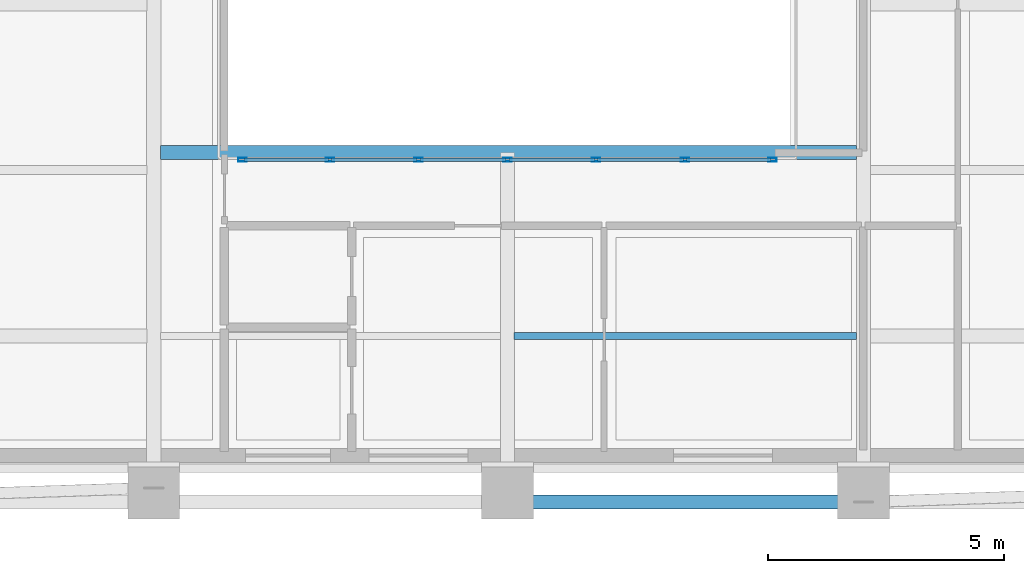
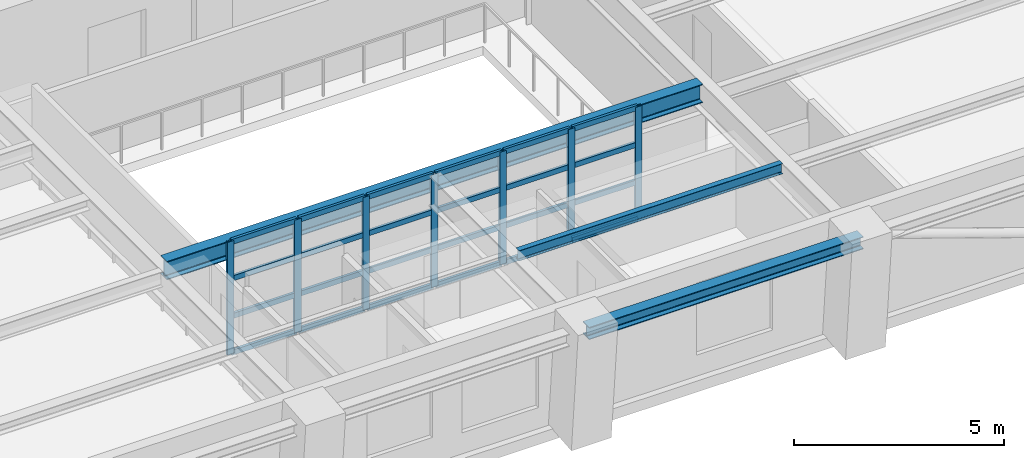
# One storey, part 2 of 13: 31 members, 3 beams, 1 element without a shape of its own.
"""IFC4 building model written with IfcOpenShell, lengths in metres."""

import ifcopenshell
import ifcopenshell.guid

model = None  # the IFC model being written
_history = None  # IfcOwnerHistory: only IFC2X3 demands one
_inside = {}  # id of a spatial element -> (the spatial element, [elements in it])
_under = {}  # id of a project, library or spatial element -> (it, [spatial elements below it])
_declared = {}  # id of a project -> (the project, [libraries it declares])
_typed = {}  # id of a type object -> (the type object, [elements of that type])
_made_of = {}  # id of a material, layer set ... -> (it, [elements and type objects made of it])


def new_model(schema):
    """Start an empty IFC model of exactly this schema.

    Asked for "IFC4X3", IfcOpenShell would pick the latest addendum, in which some entities
    have other attributes; the version numbers below select the first issue.
    IFC2X3 requires an IfcOwnerHistory on every rooted entity: one is made here for all.
    """
    global model, _history
    if schema == "IFC4X3":
        model = ifcopenshell.file(schema_version=(4, 3, 0, 0))
    else:
        model = ifcopenshell.file(schema=schema)
    _inside.clear()
    _under.clear()
    _declared.clear()
    _typed.clear()
    _made_of.clear()
    _history = None
    if model.schema == "IFC2X3":
        org = make("IfcOrganization", Name="unknown")
        user = make(
            "IfcPersonAndOrganization",
            ThePerson=make("IfcPerson", FamilyName="unknown"),
            TheOrganization=org,
        )
        app = make(
            "IfcApplication",
            ApplicationDeveloper=org,
            Version="unknown",
            ApplicationFullName="unknown",
            ApplicationIdentifier="unknown",
        )
        _history = make(
            "IfcOwnerHistory",
            OwningUser=user,
            OwningApplication=app,
            ChangeAction="ADDED",
            CreationDate=0,
        )
    return model


def make(cls, **values):
    """One entity of the class cls with the attributes given. An attribute that is None is left unset."""
    return model.create_entity(
        cls, **{name: value for name, value in values.items() if value is not None}
    )


def rooted(cls, **values):
    """An entity with a GlobalId (a new one), such as an element, a storey or a relation."""
    return make(cls, GlobalId=ifcopenshell.guid.new(), OwnerHistory=_history, **values)


def si_unit(unit_type, name, prefix=None):
    """IfcSIUnit, for example si_unit("LENGTHUNIT", "METRE", prefix="MILLI")."""
    return make("IfcSIUnit", UnitType=unit_type, Prefix=prefix, Name=name)


def assignment(units):
    """IfcUnitAssignment: the units of a project."""
    return None if units is None else make("IfcUnitAssignment", Units=units)


def point(xyz):
    """IfcCartesianPoint."""
    return None if xyz is None else make("IfcCartesianPoint", Coordinates=xyz)


def direction(xyz):
    """IfcDirection."""
    return None if xyz is None else make("IfcDirection", DirectionRatios=xyz)


def frame(location, z_axis=None, x_axis=None):
    """IfcAxis2Placement3D, a coordinate frame: its origin and axes. An axis left out is left unset."""
    return make(
        "IfcAxis2Placement3D",
        Location=point(location),
        Axis=direction(z_axis),
        RefDirection=direction(x_axis),
    )


def frame_2d(location, x_axis=None):
    """IfcAxis2Placement2D, a coordinate frame in the plane: its origin and x axis."""
    return make(
        "IfcAxis2Placement2D", Location=point(location), RefDirection=direction(x_axis)
    )


def origin():
    """The frame at (0, 0, 0) with its axes left unset."""
    return frame((0.0, 0.0, 0.0))


def origin_2d():
    """The frame at (0, 0) in the plane with its x axis left unset."""
    return frame_2d((0.0, 0.0))


def place(relative_to, where):
    """IfcLocalPlacement: puts the frame where relative to a parent placement (None: the world)."""
    return make(
        "IfcLocalPlacement", PlacementRelTo=relative_to, RelativePlacement=where
    )


def context(
    kind, dimensions, precision=None, world=None, true_north=None, identifier=None
):
    """IfcGeometricRepresentationContext, for example the 3D "Model" context."""
    return make(
        "IfcGeometricRepresentationContext",
        ContextIdentifier=identifier,
        ContextType=kind,
        CoordinateSpaceDimension=dimensions,
        Precision=precision,
        WorldCoordinateSystem=world,
        TrueNorth=true_north,
    )


def subcontext(parent, identifier, kind, view, scale=None):
    """IfcGeometricRepresentationSubContext, for example "Body" below "Model"."""
    return make(
        "IfcGeometricRepresentationSubContext",
        ContextIdentifier=identifier,
        ContextType=kind,
        ParentContext=parent,
        TargetScale=scale,
        TargetView=view,
    )


def project(units=None, contexts=None):
    """IfcProject with its units and contexts."""
    return rooted(
        "IfcProject",
        Name="project",
        RepresentationContexts=contexts,
        UnitsInContext=assignment(units),
    )


def spatial(cls, under=None, at=None, **own):
    """A site, building, storey or space (cls), placed at a placement, below another one or the project."""
    s = rooted(cls, ObjectPlacement=at, **own)
    if under is not None:
        _under.setdefault(under.id(), (under, []))[1].append(s)
    return s


def profile(cls, at=None, kind="AREA", **sizes):
    """A parametric profile (cls). Its sizes go by their IFC names, for example OverallWidth=200.0."""
    return make(cls, ProfileType=kind, Position=at, **sizes)


def hollow_rectangle(**sizes):
    """IfcRectangleHollowProfileDef."""
    return profile("IfcRectangleHollowProfileDef", **sizes)


def i_section(**sizes):
    """IfcIShapeProfileDef."""
    return profile("IfcIShapeProfileDef", **sizes)


def extrude(swept, where, along, depth):
    """IfcExtrudedAreaSolid: the profile swept, set in the frame where, extruded along a direction by depth."""
    return make(
        "IfcExtrudedAreaSolid",
        SweptArea=swept,
        Position=where,
        ExtrudedDirection=direction(along),
        Depth=depth,
    )


def shape(context_of_items, identifier, shape_type, items):
    """IfcShapeRepresentation: the items that make up one representation, for example the "Body"."""
    return make(
        "IfcShapeRepresentation",
        ContextOfItems=context_of_items,
        RepresentationIdentifier=identifier,
        RepresentationType=shape_type,
        Items=items,
    )


def material(Name=None, Category=None):
    """IfcMaterial."""
    return make("IfcMaterial", Name=Name, Category=Category)


def layer(
    of_material, thickness, ventilated=None, Name=None, Category=None, Priority=None
):
    """IfcMaterialLayer: one layer of a wall or slab, of a material (None: an air gap)."""
    return make(
        "IfcMaterialLayer",
        Material=of_material,
        LayerThickness=thickness,
        IsVentilated=ventilated,
        Name=Name,
        Category=Category,
        Priority=Priority,
    )


def layer_set(layers, Name=None):
    """IfcMaterialLayerSet."""
    return make("IfcMaterialLayerSet", MaterialLayers=layers, LayerSetName=Name)


def material_profile(
    of_material, cross_section, Name=None, Category=None, Priority=None
):
    """IfcMaterialProfile: a cross section and its material."""
    return make(
        "IfcMaterialProfile",
        Name=Name,
        Material=of_material,
        Profile=cross_section,
        Priority=Priority,
        Category=Category,
    )


def profile_set(profiles, Name=None, composite=None):
    """IfcMaterialProfileSet."""
    return make(
        "IfcMaterialProfileSet",
        Name=Name,
        MaterialProfiles=profiles,
        CompositeProfile=composite,
    )


def made_of(thing, what):
    """Note that an element or type object is made of a material, layer set ...; save() writes the relation."""
    if what is not None:
        _made_of.setdefault(what.id(), (what, []))[1].append(thing)
    return thing


def type_object(cls, material=None, **own):
    """A type object (cls), such as IfcWallType, which elements share."""
    return made_of(rooted(cls, **own), material)


def element(
    cls,
    number,
    at=None,
    inside=None,
    cuts=None,
    type_object=None,
    material=None,
    context=None,
    identifier="Body",
    shape_type=None,
    held_by="IfcProductDefinitionShape",
    body=None,
    shapes=None,
    **own,
):
    """One element of the class cls, such as IfcWall. Its Tag is "e" and its number.

    at: its placement. inside: the storey or other place that contains it. cuts: it is an
    opening in that element (IfcRelVoidsElement). A single representation is given by context,
    identifier, shape_type and body (its items); several are given by shapes. held_by: the class
    of the entity that holds the representations. save() writes the other relations.
    """
    e = rooted(cls, Tag="e%d" % number, ObjectPlacement=at, **own)
    if body is not None:
        shapes = [shape(context, identifier, shape_type, body)]
    if shapes is not None:
        e.Representation = make(held_by, Representations=shapes)
    if inside is not None:
        _inside.setdefault(inside.id(), (inside, []))[1].append(e)
    if cuts is not None:
        rooted(
            "IfcRelVoidsElement", RelatingBuildingElement=cuts, RelatedOpeningElement=e
        )
    if type_object is not None:
        _typed.setdefault(type_object.id(), (type_object, []))[1].append(e)
    return made_of(e, material)


def aggregate(whole, parts):
    """IfcRelAggregates: a whole, such as a stair, and the parts it consists of."""
    return rooted("IfcRelAggregates", RelatingObject=whole, RelatedObjects=parts)


def save(model, path):
    """Write the relations noted so far, then the file.

    IfcRelAggregates (storeys below a building ...), IfcRelContainedInSpatialStructure (elements
    in a storey), IfcRelDefinesByType, IfcRelAssociatesMaterial and IfcRelDeclares: one each for
    every whole, place, type object, material and project.
    """
    for whole, parts in _under.values():
        aggregate(whole, parts)
    for where, things in _inside.values():
        rooted(
            "IfcRelContainedInSpatialStructure",
            RelatedElements=things,
            RelatingStructure=where,
        )
    for kind, things in _typed.values():
        rooted("IfcRelDefinesByType", RelatedObjects=things, RelatingType=kind)
    for what, things in _made_of.values():
        rooted("IfcRelAssociatesMaterial", RelatedObjects=things, RelatingMaterial=what)
    for by, libraries in _declared.values():
        rooted("IfcRelDeclares", RelatingContext=by, RelatedDefinitions=libraries)
    model.write(path)


model = new_model("IFC4")

# Units and contexts
model_context = context("Model", 3, precision=1e-05, world=origin(), true_north=direction((0.0, 1.0)))
body_context = subcontext(model_context, "Body", "Model", "MODEL_VIEW")
ifc_project = project(units=[si_unit("LENGTHUNIT", "METRE"), si_unit("AREAUNIT", "SQUARE_METRE"), si_unit("VOLUMEUNIT", "CUBIC_METRE"), si_unit("PLANEANGLEUNIT", "RADIAN"), si_unit("MASSUNIT", "GRAM", prefix="KILO")], contexts=[model_context])

# Site, building, storey
site_placement = place(None, origin())
site = spatial("IfcSite", under=ifc_project, at=site_placement, CompositionType="ELEMENT")
building_placement = place(site_placement, origin())
building = spatial("IfcBuilding", under=site, at=building_placement, Name="Zarnavel Station Tower", CompositionType="ELEMENT")
storey_placement = place(building_placement, frame((0.0, 0.0, 180.300048828125)))
storey = spatial("IfcBuildingStorey", under=building, at=storey_placement, Name="L49", CompositionType="ELEMENT", Elevation=180.300048828125)

# Curtain wall, members
ifc_material_1 = material(Name="Aluminium Dark Anodised and Solar-Control Glass", Category="aluminium")
ifc_layer = layer(ifc_material_1, 0.179931640625)
ifc_layer_set = layer_set([ifc_layer], Name="CWS4")
curtain_wall_type = type_object("IfcCurtainWallType", Name="CWS4", PredefinedType="NOTDEFINED", material=ifc_layer_set)
curtain_wall_placement = place(storey_placement, origin())
curtain_wall = element("IfcCurtainWall", 1, at=curtain_wall_placement, inside=storey, type_object=curtain_wall_type, Name="L49 Curtain Wall CWS4-L49-AS", PredefinedType="NOTDEFINED")
ifc_material_2 = material(Name="Steel S355J2 (Black Fluoropolymer Coated)", Category="steel")
ifc_material_profile_1 = material_profile(ifc_material_2, hollow_rectangle(XDim=0.080078125, YDim=0.179931640625, WallThickness=0.00634765625, at=origin_2d()), Name="RHS180x80x6.3")
ifc_profile_set_1 = profile_set([ifc_material_profile_1], Name="Steel S355J2 (Black Fluoropolymer Coated)")
member_type_1 = type_object("IfcMemberType", Name="CWS4_MUL", PredefinedType="MULLION", material=ifc_profile_set_1)
member_1_placement = place(storey_placement, frame((23.179931640625, 16.85009765625, 0.0), z_axis=(0.0, 0.0, 1.0), x_axis=(0.0, 1.0, 0.0)))
member_1 = element("IfcMember", 2, at=member_1_placement, type_object=member_type_1, Name="CW4 mullion 1", PredefinedType="MULLION", context=body_context, shape_type="SweptSolid", body=[
    extrude(hollow_rectangle(XDim=0.080078125, YDim=0.179931640625, WallThickness=0.00634765625, at=origin_2d()), origin(), (0.0, 0.0, 1.0), 3.2900390625),
])
member_2_placement = place(storey_placement, frame((25.033447265625, 16.85009765625, 0.0), z_axis=(0.0, 0.0, 1.0), x_axis=(0.0, 1.0, 0.0)))
member_2 = element("IfcMember", 3, at=member_2_placement, type_object=member_type_1, Name="CW4 mullion 2", PredefinedType="MULLION", context=body_context, shape_type="SweptSolid", body=[
    extrude(hollow_rectangle(XDim=0.080078125, YDim=0.179931640625, WallThickness=0.00634765625, at=origin_2d()), origin(), (0.0, 0.0, 1.0), 3.2900390625),
])
member_3_placement = place(storey_placement, frame((26.916748046875, 16.85009765625, 0.0), z_axis=(0.0, 0.0, 1.0), x_axis=(0.0, 1.0, 0.0)))
member_3 = element("IfcMember", 4, at=member_3_placement, type_object=member_type_1, Name="CW4 mullion 3", PredefinedType="MULLION", context=body_context, shape_type="SweptSolid", body=[
    extrude(hollow_rectangle(XDim=0.080078125, YDim=0.179931640625, WallThickness=0.00634765625, at=origin_2d()), origin(), (0.0, 0.0, 1.0), 3.2900390625),
])
member_4_placement = place(storey_placement, frame((28.800048828125, 16.85009765625, 0.0), z_axis=(0.0, 0.0, 1.0), x_axis=(0.0, 1.0, 0.0)))
member_4 = element("IfcMember", 5, at=member_4_placement, type_object=member_type_1, Name="CW4 mullion 4", PredefinedType="MULLION", context=body_context, shape_type="SweptSolid", body=[
    extrude(hollow_rectangle(XDim=0.080078125, YDim=0.179931640625, WallThickness=0.00634765625, at=origin_2d()), origin(), (0.0, 0.0, 1.0), 3.2900390625),
])
member_5_placement = place(storey_placement, frame((30.683349609375, 16.85009765625, 0.0), z_axis=(0.0, 0.0, 1.0), x_axis=(0.0, 1.0, 0.0)))
member_5 = element("IfcMember", 6, at=member_5_placement, type_object=member_type_1, Name="CW4 mullion 5", PredefinedType="MULLION", context=body_context, shape_type="SweptSolid", body=[
    extrude(hollow_rectangle(XDim=0.080078125, YDim=0.179931640625, WallThickness=0.00634765625, at=origin_2d()), origin(), (0.0, 0.0, 1.0), 3.2900390625),
])
member_6_placement = place(storey_placement, frame((32.566650390625, 16.85009765625, 0.0), z_axis=(0.0, 0.0, 1.0), x_axis=(0.0, 1.0, 0.0)))
member_6 = element("IfcMember", 7, at=member_6_placement, type_object=member_type_1, Name="CW4 mullion 6", PredefinedType="MULLION", context=body_context, shape_type="SweptSolid", body=[
    extrude(hollow_rectangle(XDim=0.080078125, YDim=0.179931640625, WallThickness=0.00634765625, at=origin_2d()), origin(), (0.0, 0.0, 1.0), 3.2900390625),
])
member_7_placement = place(storey_placement, frame((34.419921875, 16.85009765625, 0.0), z_axis=(0.0, 0.0, 1.0), x_axis=(0.0, 1.0, 0.0)))
member_7 = element("IfcMember", 8, at=member_7_placement, type_object=member_type_1, Name="CW4 mullion 7", PredefinedType="MULLION", context=body_context, shape_type="SweptSolid", body=[
    extrude(hollow_rectangle(XDim=0.080078125, YDim=0.179931640625, WallThickness=0.00634765625, at=origin_2d()), origin(), (0.0, 0.0, 1.0), 3.2900390625),
])
ifc_material_3 = material(Name="Steel S355J2 (Black Fluoropolymer Coated)", Category="steel")
ifc_material_profile_2 = material_profile(ifc_material_3, hollow_rectangle(XDim=0.074951171875, YDim=0.14990234375, WallThickness=0.00634765625, at=origin_2d()), Name="RHS150x75x6.3")
ifc_profile_set_2 = profile_set([ifc_material_profile_2], Name="Steel S355J2 (Black Fluoropolymer Coated)")
member_type_2 = type_object("IfcMemberType", Name="CWS4_TRN", PredefinedType="USERDEFINED", material=ifc_profile_set_2)
member_8_placement = place(storey_placement, frame((23.2099609375, 16.85009765625, 0.030029296875), z_axis=(1.0, 0.0, 0.0), x_axis=(0.0, 1.0, 0.0)))
member_8 = element("IfcMember", 9, at=member_8_placement, type_object=member_type_2, Name="CW4 transom 1.1", ObjectType="TRANSOM", PredefinedType="USERDEFINED", context=body_context, shape_type="SweptSolid", body=[
    extrude(hollow_rectangle(XDim=0.074951171875, YDim=0.14990234375, WallThickness=0.00634765625, at=origin_2d()), origin(), (0.0, 0.0, 1.0), 1.79345703125),
])
member_9_placement = place(storey_placement, frame((23.2099609375, 16.85009765625, 1.0966796875), z_axis=(1.0, 0.0, 0.0), x_axis=(0.0, 1.0, 0.0)))
member_9 = element("IfcMember", 10, at=member_9_placement, type_object=member_type_2, Name="CW4 transom 1.2", ObjectType="TRANSOM", PredefinedType="USERDEFINED", context=body_context, shape_type="SweptSolid", body=[
    extrude(hollow_rectangle(XDim=0.074951171875, YDim=0.14990234375, WallThickness=0.00634765625, at=origin_2d()), origin(), (0.0, 0.0, 1.0), 1.79345703125),
])
member_10_placement = place(storey_placement, frame((23.2099609375, 16.85009765625, 2.193359375), z_axis=(1.0, 0.0, 0.0), x_axis=(0.0, 1.0, 0.0)))
member_10 = element("IfcMember", 11, at=member_10_placement, type_object=member_type_2, Name="CW4 transom 1.3", ObjectType="TRANSOM", PredefinedType="USERDEFINED", context=body_context, shape_type="SweptSolid", body=[
    extrude(hollow_rectangle(XDim=0.074951171875, YDim=0.14990234375, WallThickness=0.00634765625, at=origin_2d()), origin(), (0.0, 0.0, 1.0), 1.79345703125),
])
member_11_placement = place(storey_placement, frame((23.2099609375, 16.85009765625, 3.260009765625), z_axis=(1.0, 0.0, 0.0), x_axis=(0.0, 1.0, 0.0)))
member_11 = element("IfcMember", 12, at=member_11_placement, type_object=member_type_2, Name="CW4 transom 1.4", ObjectType="TRANSOM", PredefinedType="USERDEFINED", context=body_context, shape_type="SweptSolid", body=[
    extrude(hollow_rectangle(XDim=0.074951171875, YDim=0.14990234375, WallThickness=0.00634765625, at=origin_2d()), origin(), (0.0, 0.0, 1.0), 1.79345703125),
])
member_12_placement = place(storey_placement, frame((25.063232421875, 16.85009765625, 0.030029296875), z_axis=(1.0, 0.0, 0.0), x_axis=(0.0, 1.0, 0.0)))
member_12 = element("IfcMember", 13, at=member_12_placement, type_object=member_type_2, Name="CW4 transom 2.1", ObjectType="TRANSOM", PredefinedType="USERDEFINED", context=body_context, shape_type="SweptSolid", body=[
    extrude(hollow_rectangle(XDim=0.074951171875, YDim=0.14990234375, WallThickness=0.00634765625, at=origin_2d()), origin(), (0.0, 0.0, 1.0), 1.823486328125),
])
member_13_placement = place(storey_placement, frame((25.063232421875, 16.85009765625, 1.0966796875), z_axis=(1.0, 0.0, 0.0), x_axis=(0.0, 1.0, 0.0)))
member_13 = element("IfcMember", 14, at=member_13_placement, type_object=member_type_2, Name="CW4 transom 2.2", ObjectType="TRANSOM", PredefinedType="USERDEFINED", context=body_context, shape_type="SweptSolid", body=[
    extrude(hollow_rectangle(XDim=0.074951171875, YDim=0.14990234375, WallThickness=0.00634765625, at=origin_2d()), origin(), (0.0, 0.0, 1.0), 1.823486328125),
])
member_14_placement = place(storey_placement, frame((25.063232421875, 16.85009765625, 2.193359375), z_axis=(1.0, 0.0, 0.0), x_axis=(0.0, 1.0, 0.0)))
member_14 = element("IfcMember", 15, at=member_14_placement, type_object=member_type_2, Name="CW4 transom 2.3", ObjectType="TRANSOM", PredefinedType="USERDEFINED", context=body_context, shape_type="SweptSolid", body=[
    extrude(hollow_rectangle(XDim=0.074951171875, YDim=0.14990234375, WallThickness=0.00634765625, at=origin_2d()), origin(), (0.0, 0.0, 1.0), 1.823486328125),
])
member_15_placement = place(storey_placement, frame((25.063232421875, 16.85009765625, 3.260009765625), z_axis=(1.0, 0.0, 0.0), x_axis=(0.0, 1.0, 0.0)))
member_15 = element("IfcMember", 16, at=member_15_placement, type_object=member_type_2, Name="CW4 transom 2.4", ObjectType="TRANSOM", PredefinedType="USERDEFINED", context=body_context, shape_type="SweptSolid", body=[
    extrude(hollow_rectangle(XDim=0.074951171875, YDim=0.14990234375, WallThickness=0.00634765625, at=origin_2d()), origin(), (0.0, 0.0, 1.0), 1.823486328125),
])
member_16_placement = place(storey_placement, frame((26.94677734375, 16.85009765625, 0.030029296875), z_axis=(1.0, 0.0, 0.0), x_axis=(0.0, 1.0, 0.0)))
member_16 = element("IfcMember", 17, at=member_16_placement, type_object=member_type_2, Name="CW4 transom 3.1", ObjectType="TRANSOM", PredefinedType="USERDEFINED", context=body_context, shape_type="SweptSolid", body=[
    extrude(hollow_rectangle(XDim=0.074951171875, YDim=0.14990234375, WallThickness=0.00634765625, at=origin_2d()), origin(), (0.0, 0.0, 1.0), 1.8232421875),
])
member_17_placement = place(storey_placement, frame((26.94677734375, 16.85009765625, 1.0966796875), z_axis=(1.0, 0.0, 0.0), x_axis=(0.0, 1.0, 0.0)))
member_17 = element("IfcMember", 18, at=member_17_placement, type_object=member_type_2, Name="CW4 transom 3.2", ObjectType="TRANSOM", PredefinedType="USERDEFINED", context=body_context, shape_type="SweptSolid", body=[
    extrude(hollow_rectangle(XDim=0.074951171875, YDim=0.14990234375, WallThickness=0.00634765625, at=origin_2d()), origin(), (0.0, 0.0, 1.0), 1.8232421875),
])
member_18_placement = place(storey_placement, frame((26.94677734375, 16.85009765625, 2.193359375), z_axis=(1.0, 0.0, 0.0), x_axis=(0.0, 1.0, 0.0)))
member_18 = element("IfcMember", 19, at=member_18_placement, type_object=member_type_2, Name="CW4 transom 3.3", ObjectType="TRANSOM", PredefinedType="USERDEFINED", context=body_context, shape_type="SweptSolid", body=[
    extrude(hollow_rectangle(XDim=0.074951171875, YDim=0.14990234375, WallThickness=0.00634765625, at=origin_2d()), origin(), (0.0, 0.0, 1.0), 1.8232421875),
])
member_19_placement = place(storey_placement, frame((26.94677734375, 16.85009765625, 3.260009765625), z_axis=(1.0, 0.0, 0.0), x_axis=(0.0, 1.0, 0.0)))
member_19 = element("IfcMember", 20, at=member_19_placement, type_object=member_type_2, Name="CW4 transom 3.4", ObjectType="TRANSOM", PredefinedType="USERDEFINED", context=body_context, shape_type="SweptSolid", body=[
    extrude(hollow_rectangle(XDim=0.074951171875, YDim=0.14990234375, WallThickness=0.00634765625, at=origin_2d()), origin(), (0.0, 0.0, 1.0), 1.8232421875),
])
member_20_placement = place(storey_placement, frame((28.830078125, 16.85009765625, 0.030029296875), z_axis=(1.0, 0.0, 0.0), x_axis=(0.0, 1.0, 0.0)))
member_20 = element("IfcMember", 21, at=member_20_placement, type_object=member_type_2, Name="CW4 transom 4.1", ObjectType="TRANSOM", PredefinedType="USERDEFINED", context=body_context, shape_type="SweptSolid", body=[
    extrude(hollow_rectangle(XDim=0.074951171875, YDim=0.14990234375, WallThickness=0.00634765625, at=origin_2d()), origin(), (0.0, 0.0, 1.0), 1.8232421875),
])
member_21_placement = place(storey_placement, frame((28.830078125, 16.85009765625, 1.0966796875), z_axis=(1.0, 0.0, 0.0), x_axis=(0.0, 1.0, 0.0)))
member_21 = element("IfcMember", 22, at=member_21_placement, type_object=member_type_2, Name="CW4 transom 4.2", ObjectType="TRANSOM", PredefinedType="USERDEFINED", context=body_context, shape_type="SweptSolid", body=[
    extrude(hollow_rectangle(XDim=0.074951171875, YDim=0.14990234375, WallThickness=0.00634765625, at=origin_2d()), origin(), (0.0, 0.0, 1.0), 1.8232421875),
])
member_22_placement = place(storey_placement, frame((28.830078125, 16.85009765625, 2.193359375), z_axis=(1.0, 0.0, 0.0), x_axis=(0.0, 1.0, 0.0)))
member_22 = element("IfcMember", 23, at=member_22_placement, type_object=member_type_2, Name="CW4 transom 4.3", ObjectType="TRANSOM", PredefinedType="USERDEFINED", context=body_context, shape_type="SweptSolid", body=[
    extrude(hollow_rectangle(XDim=0.074951171875, YDim=0.14990234375, WallThickness=0.00634765625, at=origin_2d()), origin(), (0.0, 0.0, 1.0), 1.8232421875),
])
member_23_placement = place(storey_placement, frame((28.830078125, 16.85009765625, 3.260009765625), z_axis=(1.0, 0.0, 0.0), x_axis=(0.0, 1.0, 0.0)))
member_23 = element("IfcMember", 24, at=member_23_placement, type_object=member_type_2, Name="CW4 transom 4.4", ObjectType="TRANSOM", PredefinedType="USERDEFINED", context=body_context, shape_type="SweptSolid", body=[
    extrude(hollow_rectangle(XDim=0.074951171875, YDim=0.14990234375, WallThickness=0.00634765625, at=origin_2d()), origin(), (0.0, 0.0, 1.0), 1.8232421875),
])
member_24_placement = place(storey_placement, frame((30.71337890625, 16.85009765625, 0.030029296875), z_axis=(1.0, 0.0, 0.0), x_axis=(0.0, 1.0, 0.0)))
member_24 = element("IfcMember", 25, at=member_24_placement, type_object=member_type_2, Name="CW4 transom 5.1", ObjectType="TRANSOM", PredefinedType="USERDEFINED", context=body_context, shape_type="SweptSolid", body=[
    extrude(hollow_rectangle(XDim=0.074951171875, YDim=0.14990234375, WallThickness=0.00634765625, at=origin_2d()), origin(), (0.0, 0.0, 1.0), 1.8232421875),
])
member_25_placement = place(storey_placement, frame((30.71337890625, 16.85009765625, 1.0966796875), z_axis=(1.0, 0.0, 0.0), x_axis=(0.0, 1.0, 0.0)))
member_25 = element("IfcMember", 26, at=member_25_placement, type_object=member_type_2, Name="CW4 transom 5.2", ObjectType="TRANSOM", PredefinedType="USERDEFINED", context=body_context, shape_type="SweptSolid", body=[
    extrude(hollow_rectangle(XDim=0.074951171875, YDim=0.14990234375, WallThickness=0.00634765625, at=origin_2d()), origin(), (0.0, 0.0, 1.0), 1.8232421875),
])
member_26_placement = place(storey_placement, frame((30.71337890625, 16.85009765625, 2.193359375), z_axis=(1.0, 0.0, 0.0), x_axis=(0.0, 1.0, 0.0)))
member_26 = element("IfcMember", 27, at=member_26_placement, type_object=member_type_2, Name="CW4 transom 5.3", ObjectType="TRANSOM", PredefinedType="USERDEFINED", context=body_context, shape_type="SweptSolid", body=[
    extrude(hollow_rectangle(XDim=0.074951171875, YDim=0.14990234375, WallThickness=0.00634765625, at=origin_2d()), origin(), (0.0, 0.0, 1.0), 1.8232421875),
])
member_27_placement = place(storey_placement, frame((30.71337890625, 16.85009765625, 3.260009765625), z_axis=(1.0, 0.0, 0.0), x_axis=(0.0, 1.0, 0.0)))
member_27 = element("IfcMember", 28, at=member_27_placement, type_object=member_type_2, Name="CW4 transom 5.4", ObjectType="TRANSOM", PredefinedType="USERDEFINED", context=body_context, shape_type="SweptSolid", body=[
    extrude(hollow_rectangle(XDim=0.074951171875, YDim=0.14990234375, WallThickness=0.00634765625, at=origin_2d()), origin(), (0.0, 0.0, 1.0), 1.8232421875),
])
member_28_placement = place(storey_placement, frame((32.5966796875, 16.85009765625, 0.030029296875), z_axis=(1.0, 0.0, 0.0), x_axis=(0.0, 1.0, 0.0)))
member_28 = element("IfcMember", 29, at=member_28_placement, type_object=member_type_2, Name="CW4 transom 6.1", ObjectType="TRANSOM", PredefinedType="USERDEFINED", context=body_context, shape_type="SweptSolid", body=[
    extrude(hollow_rectangle(XDim=0.074951171875, YDim=0.14990234375, WallThickness=0.00634765625, at=origin_2d()), origin(), (0.0, 0.0, 1.0), 1.793212890625),
])
member_29_placement = place(storey_placement, frame((32.5966796875, 16.85009765625, 1.0966796875), z_axis=(1.0, 0.0, 0.0), x_axis=(0.0, 1.0, 0.0)))
member_29 = element("IfcMember", 30, at=member_29_placement, type_object=member_type_2, Name="CW4 transom 6.2", ObjectType="TRANSOM", PredefinedType="USERDEFINED", context=body_context, shape_type="SweptSolid", body=[
    extrude(hollow_rectangle(XDim=0.074951171875, YDim=0.14990234375, WallThickness=0.00634765625, at=origin_2d()), origin(), (0.0, 0.0, 1.0), 1.793212890625),
])
member_30_placement = place(storey_placement, frame((32.5966796875, 16.85009765625, 2.193359375), z_axis=(1.0, 0.0, 0.0), x_axis=(0.0, 1.0, 0.0)))
member_30 = element("IfcMember", 31, at=member_30_placement, type_object=member_type_2, Name="CW4 transom 6.3", ObjectType="TRANSOM", PredefinedType="USERDEFINED", context=body_context, shape_type="SweptSolid", body=[
    extrude(hollow_rectangle(XDim=0.074951171875, YDim=0.14990234375, WallThickness=0.00634765625, at=origin_2d()), origin(), (0.0, 0.0, 1.0), 1.793212890625),
])
member_31_placement = place(storey_placement, frame((32.5966796875, 16.85009765625, 3.260009765625), z_axis=(1.0, 0.0, 0.0), x_axis=(0.0, 1.0, 0.0)))
member_31 = element("IfcMember", 32, at=member_31_placement, type_object=member_type_2, Name="CW4 transom 6.4", ObjectType="TRANSOM", PredefinedType="USERDEFINED", context=body_context, shape_type="SweptSolid", body=[
    extrude(hollow_rectangle(XDim=0.074951171875, YDim=0.14990234375, WallThickness=0.00634765625, at=origin_2d()), origin(), (0.0, 0.0, 1.0), 1.793212890625),
])
aggregate(curtain_wall, [member_1, member_2, member_3, member_4, member_5, member_6, member_7, member_8, member_9, member_10, member_11, member_12, member_13, member_14, member_15, member_16, member_17, member_18, member_19, member_20, member_21, member_22, member_23, member_24, member_25, member_26, member_27, member_28, member_29, member_30, member_31])

# Beams
ifc_material_4 = material(Name="Steel S355J2", Category="steel")
ifc_material_profile_3 = material_profile(ifc_material_4, i_section(OverallWidth=0.300048828125, OverallDepth=0.360107421875, WebThickness=0.012451171875, FlangeThickness=0.0224609375, FilletRadius=0.027099609375, at=origin_2d()), Name="HEB360")
ifc_profile_set_3 = profile_set([ifc_material_profile_3], Name="Steel S355J2")
beam_type_1 = type_object("IfcBeamType", Name="EB_HEB360", PredefinedType="SPANDREL", material=ifc_profile_set_3)
beam_1_placement = place(storey_placement, frame((28.800048828125, 9.591064453125, 3.10986328125), z_axis=(1.0, 0.0, 0.0), x_axis=(0.0, 1.0, 0.0)))
element("IfcBeam", 33, at=beam_1_placement, inside=storey, type_object=beam_type_1, Name="L49 South Raked Spandrel 3", PredefinedType="SPANDREL", context=body_context, shape_type="SweptSolid", body=[
    extrude(i_section(OverallWidth=0.300048828125, OverallDepth=0.360107421875, WebThickness=0.012451171875, FlangeThickness=0.0224609375, FilletRadius=0.027099609375, at=origin_2d()), origin(), (0.0, 0.0, 1.0), 7.550048828125),
])
ifc_material_5 = material(Name="Steel S355J2", Category="steel")
ifc_material_profile_4 = material_profile(ifc_material_5, i_section(OverallWidth=0.300048828125, OverallDepth=0.5400390625, WebThickness=0.012451171875, FlangeThickness=0.02392578125, FilletRadius=0.027099609375, at=origin_2d()), Name="HEA550")
ifc_profile_set_4 = profile_set([ifc_material_profile_4], Name="Steel S355J2")
beam_type_2 = type_object("IfcBeamType", Name="FB_HEA550", PredefinedType="BEAM", material=ifc_profile_set_4)
beam_2_placement = place(storey_placement, frame((21.445068359375, 17.0, 3.02001953125), z_axis=(1.0, 0.0, 0.0), x_axis=(0.0, 1.0, 0.0)))
element("IfcBeam", 34, at=beam_2_placement, inside=storey, type_object=beam_type_2, Name="L49 Atrium South Edge Girder", PredefinedType="BEAM", context=body_context, shape_type="SweptSolid", body=[
    extrude(i_section(OverallWidth=0.300048828125, OverallDepth=0.5400390625, WebThickness=0.012451171875, FlangeThickness=0.02392578125, FilletRadius=0.027099609375, at=origin_2d()), origin(), (0.0, 0.0, 1.0), 14.760009765625),
])
ifc_material_6 = material(Name="Steel S355J2", Category="steel")
ifc_material_profile_5 = material_profile(ifc_material_6, i_section(OverallWidth=0.14990234375, OverallDepth=0.300048828125, WebThickness=0.007080078125, FlangeThickness=0.0107421875, FilletRadius=0.014892578125, at=origin_2d()), Name="IPE300")
ifc_profile_set_5 = profile_set([ifc_material_profile_5], Name="Steel S355J2")
beam_type_3 = type_object("IfcBeamType", Name="FJ_IPE300", PredefinedType="JOIST", material=ifc_profile_set_5)
beam_3_placement = place(storey_placement, frame((28.945068359375, 13.11279296875, 3.139892578125), z_axis=(1.0, 0.0, 0.0), x_axis=(0.0, 1.0, 0.0)))
element("IfcBeam", 35, at=beam_3_placement, inside=storey, type_object=beam_type_3, Name="L49 Mid-East Joist 1", PredefinedType="JOIST", context=body_context, shape_type="SweptSolid", body=[
    extrude(i_section(OverallWidth=0.14990234375, OverallDepth=0.300048828125, WebThickness=0.007080078125, FlangeThickness=0.0107421875, FilletRadius=0.014892578125, at=origin_2d()), origin(), (0.0, 0.0, 1.0), 7.260009765625),
])

save(model, "model.ifc")
